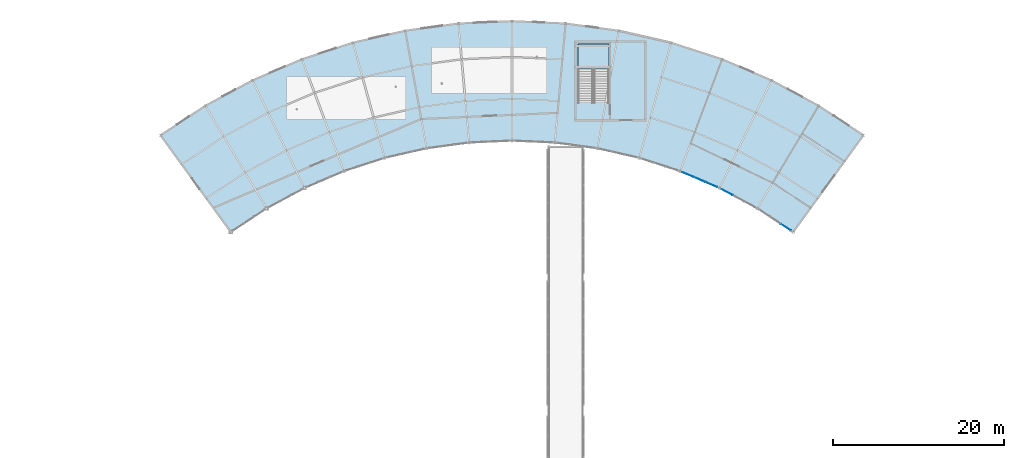
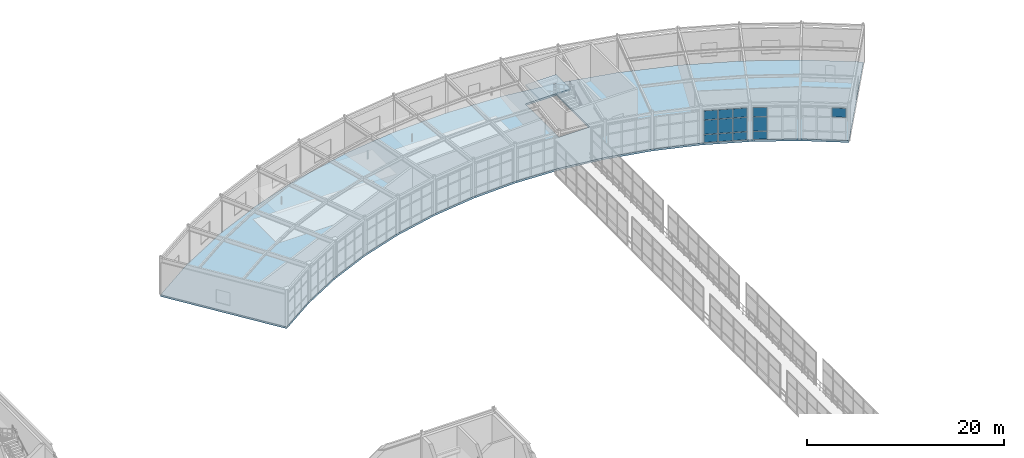
# One storey, part 82 of 105: 13 plates, 2 slabs, 4 elements without a shape of their own.
"""IFC4 building model written with IfcOpenShell, lengths in metres."""

import ifcopenshell
import ifcopenshell.guid

model = None  # the IFC model being written
_history = None  # IfcOwnerHistory: only IFC2X3 demands one
_inside = {}  # id of a spatial element -> (the spatial element, [elements in it])
_under = {}  # id of a project, library or spatial element -> (it, [spatial elements below it])
_declared = {}  # id of a project -> (the project, [libraries it declares])
_typed = {}  # id of a type object -> (the type object, [elements of that type])
_made_of = {}  # id of a material, layer set ... -> (it, [elements and type objects made of it])


def new_model(schema):
    """Start an empty IFC model of exactly this schema.

    Asked for "IFC4X3", IfcOpenShell would pick the latest addendum, in which some entities
    have other attributes; the version numbers below select the first issue.
    IFC2X3 requires an IfcOwnerHistory on every rooted entity: one is made here for all.
    """
    global model, _history
    if schema == "IFC4X3":
        model = ifcopenshell.file(schema_version=(4, 3, 0, 0))
    else:
        model = ifcopenshell.file(schema=schema)
    _inside.clear()
    _under.clear()
    _declared.clear()
    _typed.clear()
    _made_of.clear()
    _history = None
    if model.schema == "IFC2X3":
        org = make("IfcOrganization", Name="unknown")
        user = make(
            "IfcPersonAndOrganization",
            ThePerson=make("IfcPerson", FamilyName="unknown"),
            TheOrganization=org,
        )
        app = make(
            "IfcApplication",
            ApplicationDeveloper=org,
            Version="unknown",
            ApplicationFullName="unknown",
            ApplicationIdentifier="unknown",
        )
        _history = make(
            "IfcOwnerHistory",
            OwningUser=user,
            OwningApplication=app,
            ChangeAction="ADDED",
            CreationDate=0,
        )
    return model


def make(cls, **values):
    """One entity of the class cls with the attributes given. An attribute that is None is left unset."""
    return model.create_entity(
        cls, **{name: value for name, value in values.items() if value is not None}
    )


def rooted(cls, **values):
    """An entity with a GlobalId (a new one), such as an element, a storey or a relation."""
    return make(cls, GlobalId=ifcopenshell.guid.new(), OwnerHistory=_history, **values)


def si_unit(unit_type, name, prefix=None):
    """IfcSIUnit, for example si_unit("LENGTHUNIT", "METRE", prefix="MILLI")."""
    return make("IfcSIUnit", UnitType=unit_type, Prefix=prefix, Name=name)


def assignment(units):
    """IfcUnitAssignment: the units of a project."""
    return None if units is None else make("IfcUnitAssignment", Units=units)


def point(xyz):
    """IfcCartesianPoint."""
    return None if xyz is None else make("IfcCartesianPoint", Coordinates=xyz)


def direction(xyz):
    """IfcDirection."""
    return None if xyz is None else make("IfcDirection", DirectionRatios=xyz)


def frame(location, z_axis=None, x_axis=None):
    """IfcAxis2Placement3D, a coordinate frame: its origin and axes. An axis left out is left unset."""
    return make(
        "IfcAxis2Placement3D",
        Location=point(location),
        Axis=direction(z_axis),
        RefDirection=direction(x_axis),
    )


def frame_2d(location, x_axis=None):
    """IfcAxis2Placement2D, a coordinate frame in the plane: its origin and x axis."""
    return make(
        "IfcAxis2Placement2D", Location=point(location), RefDirection=direction(x_axis)
    )


def origin():
    """The frame at (0, 0, 0) with its axes left unset."""
    return frame((0.0, 0.0, 0.0))


def origin_2d():
    """The frame at (0, 0) in the plane with its x axis left unset."""
    return frame_2d((0.0, 0.0))


def place(relative_to, where):
    """IfcLocalPlacement: puts the frame where relative to a parent placement (None: the world)."""
    return make(
        "IfcLocalPlacement", PlacementRelTo=relative_to, RelativePlacement=where
    )


def context(
    kind, dimensions, precision=None, world=None, true_north=None, identifier=None
):
    """IfcGeometricRepresentationContext, for example the 3D "Model" context."""
    return make(
        "IfcGeometricRepresentationContext",
        ContextIdentifier=identifier,
        ContextType=kind,
        CoordinateSpaceDimension=dimensions,
        Precision=precision,
        WorldCoordinateSystem=world,
        TrueNorth=true_north,
    )


def subcontext(parent, identifier, kind, view, scale=None):
    """IfcGeometricRepresentationSubContext, for example "Body" below "Model"."""
    return make(
        "IfcGeometricRepresentationSubContext",
        ContextIdentifier=identifier,
        ContextType=kind,
        ParentContext=parent,
        TargetScale=scale,
        TargetView=view,
    )


def project(units=None, contexts=None):
    """IfcProject with its units and contexts."""
    return rooted(
        "IfcProject",
        Name="project",
        RepresentationContexts=contexts,
        UnitsInContext=assignment(units),
    )


def spatial(cls, under=None, at=None, **own):
    """A site, building, storey or space (cls), placed at a placement, below another one or the project."""
    s = rooted(cls, ObjectPlacement=at, **own)
    if under is not None:
        _under.setdefault(under.id(), (under, []))[1].append(s)
    return s


def polyline(points):
    """IfcPolyline through the points."""
    return make("IfcPolyline", Points=[point(p) for p in points])


def profile(cls, at=None, kind="AREA", **sizes):
    """A parametric profile (cls). Its sizes go by their IFC names, for example OverallWidth=200.0."""
    return make(cls, ProfileType=kind, Position=at, **sizes)


def rectangle(**sizes):
    """IfcRectangleProfileDef."""
    return profile("IfcRectangleProfileDef", **sizes)


def outline(outer, holes=None, kind="AREA"):
    """IfcArbitraryClosedProfileDef: a profile drawn as a closed curve; with holes, ...WithVoids."""
    if holes is None:
        return make("IfcArbitraryClosedProfileDef", ProfileType=kind, OuterCurve=outer)
    return make(
        "IfcArbitraryProfileDefWithVoids",
        ProfileType=kind,
        OuterCurve=outer,
        InnerCurves=holes,
    )


def extrude(swept, where, along, depth):
    """IfcExtrudedAreaSolid: the profile swept, set in the frame where, extruded along a direction by depth."""
    return make(
        "IfcExtrudedAreaSolid",
        SweptArea=swept,
        Position=where,
        ExtrudedDirection=direction(along),
        Depth=depth,
    )


def shape(context_of_items, identifier, shape_type, items):
    """IfcShapeRepresentation: the items that make up one representation, for example the "Body"."""
    return make(
        "IfcShapeRepresentation",
        ContextOfItems=context_of_items,
        RepresentationIdentifier=identifier,
        RepresentationType=shape_type,
        Items=items,
    )


def material(Name=None, Category=None):
    """IfcMaterial."""
    return make("IfcMaterial", Name=Name, Category=Category)


def layer(
    of_material, thickness, ventilated=None, Name=None, Category=None, Priority=None
):
    """IfcMaterialLayer: one layer of a wall or slab, of a material (None: an air gap)."""
    return make(
        "IfcMaterialLayer",
        Material=of_material,
        LayerThickness=thickness,
        IsVentilated=ventilated,
        Name=Name,
        Category=Category,
        Priority=Priority,
    )


def layer_set(layers, Name=None):
    """IfcMaterialLayerSet."""
    return make("IfcMaterialLayerSet", MaterialLayers=layers, LayerSetName=Name)


def made_of(thing, what):
    """Note that an element or type object is made of a material, layer set ...; save() writes the relation."""
    if what is not None:
        _made_of.setdefault(what.id(), (what, []))[1].append(thing)
    return thing


def type_object(cls, material=None, **own):
    """A type object (cls), such as IfcWallType, which elements share."""
    return made_of(rooted(cls, **own), material)


def element(
    cls,
    number,
    at=None,
    inside=None,
    cuts=None,
    type_object=None,
    material=None,
    context=None,
    identifier="Body",
    shape_type=None,
    held_by="IfcProductDefinitionShape",
    body=None,
    shapes=None,
    **own,
):
    """One element of the class cls, such as IfcWall. Its Tag is "e" and its number.

    at: its placement. inside: the storey or other place that contains it. cuts: it is an
    opening in that element (IfcRelVoidsElement). A single representation is given by context,
    identifier, shape_type and body (its items); several are given by shapes. held_by: the class
    of the entity that holds the representations. save() writes the other relations.
    """
    e = rooted(cls, Tag="e%d" % number, ObjectPlacement=at, **own)
    if body is not None:
        shapes = [shape(context, identifier, shape_type, body)]
    if shapes is not None:
        e.Representation = make(held_by, Representations=shapes)
    if inside is not None:
        _inside.setdefault(inside.id(), (inside, []))[1].append(e)
    if cuts is not None:
        rooted(
            "IfcRelVoidsElement", RelatingBuildingElement=cuts, RelatedOpeningElement=e
        )
    if type_object is not None:
        _typed.setdefault(type_object.id(), (type_object, []))[1].append(e)
    return made_of(e, material)


def aggregate(whole, parts):
    """IfcRelAggregates: a whole, such as a stair, and the parts it consists of."""
    return rooted("IfcRelAggregates", RelatingObject=whole, RelatedObjects=parts)


def save(model, path):
    """Write the relations noted so far, then the file.

    IfcRelAggregates (storeys below a building ...), IfcRelContainedInSpatialStructure (elements
    in a storey), IfcRelDefinesByType, IfcRelAssociatesMaterial and IfcRelDeclares: one each for
    every whole, place, type object, material and project.
    """
    for whole, parts in _under.values():
        aggregate(whole, parts)
    for where, things in _inside.values():
        rooted(
            "IfcRelContainedInSpatialStructure",
            RelatedElements=things,
            RelatingStructure=where,
        )
    for kind, things in _typed.values():
        rooted("IfcRelDefinesByType", RelatedObjects=things, RelatingType=kind)
    for what, things in _made_of.values():
        rooted("IfcRelAssociatesMaterial", RelatedObjects=things, RelatingMaterial=what)
    for by, libraries in _declared.values():
        rooted("IfcRelDeclares", RelatingContext=by, RelatedDefinitions=libraries)
    model.write(path)


model = new_model("IFC4")

# Units and contexts
model_context = context("Model", 3, precision=1e-05, world=origin(), true_north=direction((0.0, 1.0)))
body_context = subcontext(model_context, "Body", "Model", "MODEL_VIEW")
ifc_project = project(units=[si_unit("LENGTHUNIT", "METRE"), si_unit("AREAUNIT", "SQUARE_METRE"), si_unit("VOLUMEUNIT", "CUBIC_METRE"), si_unit("PLANEANGLEUNIT", "RADIAN"), si_unit("MASSUNIT", "GRAM", prefix="KILO")], contexts=[model_context])

# Site, building, storey
site_placement = place(None, origin())
site = spatial("IfcSite", under=ifc_project, at=site_placement, CompositionType="ELEMENT")
building_placement = place(site_placement, origin())
building = spatial("IfcBuilding", under=site, at=building_placement, Name="Selat Folded Stagehouse", CompositionType="ELEMENT")
storey_placement = place(building_placement, frame((0.0, 0.0, 10.199951171875)))
storey = spatial("IfcBuildingStorey", under=building, at=storey_placement, Name="L02", CompositionType="ELEMENT", Elevation=10.199951171875)

# Curtain wall, plates
ifc_material_1 = material(Name="Aluminium 6063-T6", Category="aluminium")
ifc_layer_1 = layer(ifc_material_1, 0.18994140625)
ifc_layer_set_1 = layer_set([ifc_layer_1], Name="Aluminium 6063-T6")
curtain_wall_type = type_object("IfcCurtainWallType", Name="CW-REH-ARC", PredefinedType="NOTDEFINED", material=ifc_layer_set_1)
curtain_wall_1_placement = place(storey_placement, origin())
curtain_wall_1 = element("IfcCurtainWall", 1, at=curtain_wall_1_placement, inside=storey, type_object=curtain_wall_type, Name="L02 curtain wall CW-REH-L02-11", PredefinedType="NOTDEFINED")
ifc_material_2 = material(Name="Laminated low-E double glazing", Category="glass")
ifc_layer_2 = layer(ifc_material_2, 0.031982421875)
ifc_layer_set_2 = layer_set([ifc_layer_2], Name="Laminated low-E double glazing")
plate_type = type_object("IfcPlateType", Name="CWP-GLZ-DGU32", PredefinedType="CURTAIN_PANEL", material=ifc_layer_set_2)
plate_1_placement = place(storey_placement, frame((115.76025390625, 88.85498046875, 0.06494140625), z_axis=(0.0, 0.0, 1.0), x_axis=(-0.919533245639, 0.393012226483, 0.0)))
plate_1 = element("IfcPlate", 2, at=plate_1_placement, type_object=plate_type, Name="CW-06 panel 1.1", PredefinedType="CURTAIN_PANEL", context=body_context, shape_type="SweptSolid", body=[
    extrude(rectangle(XDim=1.418212890625, YDim=0.031982421875, at=origin_2d()), origin(), (0.0, 0.0, 1.0), 0.952392578125),
])
plate_2_placement = place(storey_placement, frame((115.76025390625, 88.85498046875, 1.08251953125), z_axis=(0.0, 0.0, 1.0), x_axis=(-0.919533245639, 0.393012226483, 0.0)))
plate_2 = element("IfcPlate", 3, at=plate_2_placement, type_object=plate_type, Name="CW-06 panel 1.2", PredefinedType="CURTAIN_PANEL", context=body_context, shape_type="SweptSolid", body=[
    extrude(rectangle(XDim=1.418212890625, YDim=0.031982421875, at=origin_2d()), origin(), (0.0, 0.0, 1.0), 1.735107421875),
])
plate_3_placement = place(storey_placement, frame((115.76025390625, 88.85498046875, 2.882568359375), z_axis=(0.0, 0.0, 1.0), x_axis=(-0.919533245639, 0.393012226483, 0.0)))
plate_3 = element("IfcPlate", 4, at=plate_3_placement, type_object=plate_type, Name="CW-06 panel 1.3", PredefinedType="CURTAIN_PANEL", context=body_context, shape_type="SweptSolid", body=[
    extrude(rectangle(XDim=1.418212890625, YDim=0.031982421875, at=origin_2d()), origin(), (0.0, 0.0, 1.0), 1.1025390625),
])
plate_4_placement = place(storey_placement, frame((114.38720703125, 89.441650390625, 0.06494140625), z_axis=(0.0, 0.0, 1.0), x_axis=(-0.919533245639, 0.393012226483, 0.0)))
plate_4 = element("IfcPlate", 5, at=plate_4_placement, type_object=plate_type, Name="CW-06 panel 2.1", PredefinedType="CURTAIN_PANEL", context=body_context, shape_type="SweptSolid", body=[
    extrude(rectangle(XDim=1.4482421875, YDim=0.031982421875, at=origin_2d()), origin(), (0.0, 0.0, 1.0), 0.952392578125),
])
plate_5_placement = place(storey_placement, frame((114.38720703125, 89.441650390625, 1.08251953125), z_axis=(0.0, 0.0, 1.0), x_axis=(-0.919533245639, 0.393012226483, 0.0)))
plate_5 = element("IfcPlate", 6, at=plate_5_placement, type_object=plate_type, Name="CW-06 panel 2.2", PredefinedType="CURTAIN_PANEL", context=body_context, shape_type="SweptSolid", body=[
    extrude(rectangle(XDim=1.4482421875, YDim=0.031982421875, at=origin_2d()), origin(), (0.0, 0.0, 1.0), 1.735107421875),
])
plate_6_placement = place(storey_placement, frame((114.38720703125, 89.441650390625, 2.882568359375), z_axis=(0.0, 0.0, 1.0), x_axis=(-0.919533245639, 0.393012226483, 0.0)))
plate_6 = element("IfcPlate", 7, at=plate_6_placement, type_object=plate_type, Name="CW-06 panel 2.3", PredefinedType="CURTAIN_PANEL", context=body_context, shape_type="SweptSolid", body=[
    extrude(rectangle(XDim=1.4482421875, YDim=0.031982421875, at=origin_2d()), origin(), (0.0, 0.0, 1.0), 1.1025390625),
])
plate_7_placement = place(storey_placement, frame((113.01416015625, 90.028564453125, 0.06494140625), z_axis=(0.0, 0.0, 1.0), x_axis=(-0.919533245639, 0.393012226483, 0.0)))
plate_7 = element("IfcPlate", 8, at=plate_7_placement, type_object=plate_type, Name="CW-06 panel 3.1", PredefinedType="CURTAIN_PANEL", context=body_context, shape_type="SweptSolid", body=[
    extrude(rectangle(XDim=1.418212890625, YDim=0.031982421875, at=origin_2d()), origin(), (0.0, 0.0, 1.0), 0.952392578125),
])
plate_8_placement = place(storey_placement, frame((113.01416015625, 90.028564453125, 1.08251953125), z_axis=(0.0, 0.0, 1.0), x_axis=(-0.919533245639, 0.393012226483, 0.0)))
plate_8 = element("IfcPlate", 9, at=plate_8_placement, type_object=plate_type, Name="CW-06 panel 3.2", PredefinedType="CURTAIN_PANEL", context=body_context, shape_type="SweptSolid", body=[
    extrude(rectangle(XDim=1.418212890625, YDim=0.031982421875, at=origin_2d()), origin(), (0.0, 0.0, 1.0), 1.735107421875),
])
plate_9_placement = place(storey_placement, frame((113.01416015625, 90.028564453125, 2.882568359375), z_axis=(0.0, 0.0, 1.0), x_axis=(-0.919533245639, 0.393012226483, 0.0)))
plate_9 = element("IfcPlate", 10, at=plate_9_placement, type_object=plate_type, Name="CW-06 panel 3.3", PredefinedType="CURTAIN_PANEL", context=body_context, shape_type="SweptSolid", body=[
    extrude(rectangle(XDim=1.418212890625, YDim=0.031982421875, at=origin_2d()), origin(), (0.0, 0.0, 1.0), 1.1025390625),
])
aggregate(curtain_wall_1, [plate_1, plate_2, plate_3, plate_4, plate_5, plate_6, plate_7, plate_8, plate_9])

curtain_wall_2_placement = place(storey_placement, origin())
curtain_wall_2 = element("IfcCurtainWall", 11, at=curtain_wall_2_placement, inside=storey, type_object=curtain_wall_type, Name="L02 curtain wall CW-REH-L02-12", PredefinedType="NOTDEFINED")
plate_10_placement = place(storey_placement, frame((117.594970703125, 87.971435546875, 0.06494140625), z_axis=(0.0, 0.0, 1.0), x_axis=(-0.880600927119, 0.473858636259, 0.0)))
plate_10 = element("IfcPlate", 12, at=plate_10_placement, type_object=plate_type, Name="CW-06 panel 3.1", PredefinedType="CURTAIN_PANEL", context=body_context, shape_type="SweptSolid", body=[
    extrude(rectangle(XDim=1.418212890625, YDim=0.031982421875, at=origin_2d()), origin(), (0.0, 0.0, 1.0), 0.952392578125),
])
plate_11_placement = place(storey_placement, frame((117.594970703125, 87.971435546875, 1.08251953125), z_axis=(0.0, 0.0, 1.0), x_axis=(-0.880600927119, 0.473858636259, 0.0)))
plate_11 = element("IfcPlate", 13, at=plate_11_placement, type_object=plate_type, Name="CW-06 panel 3.2", PredefinedType="CURTAIN_PANEL", context=body_context, shape_type="SweptSolid", body=[
    extrude(rectangle(XDim=1.418212890625, YDim=0.031982421875, at=origin_2d()), origin(), (0.0, 0.0, 1.0), 1.735107421875),
])
plate_12_placement = place(storey_placement, frame((117.594970703125, 87.971435546875, 2.882568359375), z_axis=(0.0, 0.0, 1.0), x_axis=(-0.880600927119, 0.473858636259, 0.0)))
plate_12 = element("IfcPlate", 14, at=plate_12_placement, type_object=plate_type, Name="CW-06 panel 3.3", PredefinedType="CURTAIN_PANEL", context=body_context, shape_type="SweptSolid", body=[
    extrude(rectangle(XDim=1.418212890625, YDim=0.031982421875, at=origin_2d()), origin(), (0.0, 0.0, 1.0), 1.1025390625),
])
aggregate(curtain_wall_2, [plate_10, plate_11, plate_12])

# Curtain wall, plate
curtain_wall_3_placement = place(storey_placement, origin())
curtain_wall_3 = element("IfcCurtainWall", 15, at=curtain_wall_3_placement, inside=storey, type_object=curtain_wall_type, Name="L02 curtain wall CW-REH-L02-13", PredefinedType="NOTDEFINED")
plate_13_placement = place(storey_placement, frame((124.465576171875, 83.866455078125, 2.882568359375), z_axis=(0.0, 0.0, 1.0), x_axis=(-0.834581363399, 0.550884695619, 0.0)))
plate_13 = element("IfcPlate", 16, at=plate_13_placement, type_object=plate_type, Name="CW-06 panel 1.3", PredefinedType="CURTAIN_PANEL", context=body_context, shape_type="SweptSolid", body=[
    extrude(rectangle(XDim=1.418212890625, YDim=0.031982421875, at=origin_2d()), origin(), (0.0, 0.0, 1.0), 1.1025390625),
])
aggregate(curtain_wall_3, [plate_13])

# Slab
ifc_material_3 = material(Name="Concrete C40/50", Category="concrete")
ifc_layer_3 = layer(ifc_material_3, 0.22998046875)
ifc_layer_set_3 = layer_set([ifc_layer_3], Name="Concrete C40/50")
slab_type_1 = type_object("IfcSlabType", Name="SLAB-FLR-230-ACOUSTIC", PredefinedType="FLOOR", material=ifc_layer_set_3)
slab_1_placement = place(storey_placement, frame((0.0, 0.0, -0.22998046875)))
element("IfcSlab", 17, at=slab_1_placement, inside=storey, type_object=slab_type_1, Name="L02 V6 floor slab SL-L02-V6", PredefinedType="FLOOR", context=body_context, shape_type="SweptSolid", body=[
    extrude(outline(polyline([(59.48388671875, 83.304931640625), (63.677490234375, 86.072998046875), (68.1025390625, 88.454345703125), (72.722900390625, 90.42919921875), (77.501953125, 91.98193359375), (82.40087890625, 93.10009765625), (87.380126953125, 93.774658203125), (92.39990234375, 94.0), (97.419921875, 93.774658203125), (102.399169921875, 93.10009765625), (107.298095703125, 91.98193359375), (112.076904296875, 90.42919921875), (116.697509765625, 88.454345703125), (121.122314453125, 86.072998046875), (125.31591796875, 83.304931640625), (133.544921875, 94.631103515625), (128.302978515625, 98.09130859375), (122.77197265625, 101.06787109375), (116.99609375, 103.536376953125), (111.022705078125, 105.477294921875), (104.89892578125, 106.875), (98.6748046875, 107.71826171875), (92.39990234375, 108.0), (86.125244140625, 107.71826171875), (79.90087890625, 106.875), (73.77734375, 105.477294921875), (67.8037109375, 103.536376953125), (62.028076171875, 101.06787109375), (56.4970703125, 98.09130859375), (51.2548828125, 94.631103515625), (59.48388671875, 83.304931640625)]), holes=[polyline([(103.75, 105.330078125), (103.75, 98.56005859375), (100.14990234375, 98.56005859375), (100.14990234375, 105.330078125), (103.75, 105.330078125)])]), origin(), (0.0, 0.0, 1.0), 0.22998046875),
])

# Stair, slab
stair_type = type_object("IfcStairType", Name="STR-DOG-1720-30R", PredefinedType="HALF_TURN_STAIR", material=ifc_material_3)
stair_placement = place(storey_placement, origin())
stair = element("IfcStair", 18, at=stair_placement, inside=storey, type_object=stair_type, Name="L02 Core 6 Rehearsal East Core", PredefinedType="HALF_TURN_STAIR")
ifc_layer_4 = layer(ifc_material_3, 0.199951171875)
ifc_layer_set_4 = layer_set([ifc_layer_4], Name="Concrete C40/50")
slab_type_2 = type_object("IfcSlabType", Name="SLAB-STR-LDG-200", PredefinedType="LANDING", material=ifc_layer_set_4)
slab_2_placement = place(storey_placement, frame((0.0, 0.0, 2.199951171875)))
slab_2 = element("IfcSlab", 19, at=slab_2_placement, type_object=slab_type_2, Name="ST-1720-30R landing 1", PredefinedType="LANDING", context=body_context, shape_type="SweptSolid", body=[
    extrude(outline(polyline([(103.75, 102.389892578125), (103.75, 105.330078125), (100.14990234375, 105.330078125), (100.14990234375, 102.389892578125), (103.75, 102.389892578125)])), origin(), (0.0, 0.0, 1.0), 0.2001953125),
])
aggregate(stair, [slab_2])

save(model, "model.ifc")
